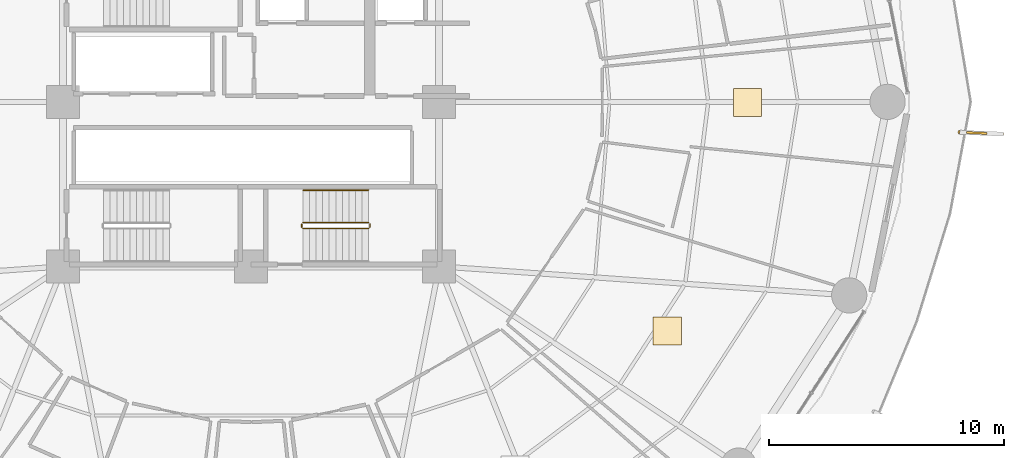
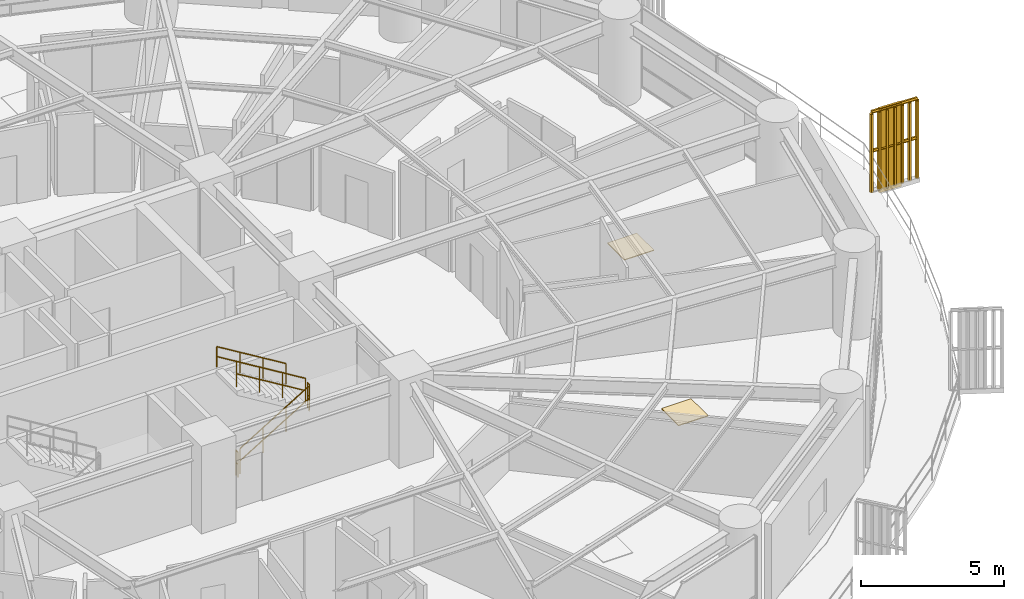
# One storey, part 31 of 33: 6 railings, 2 coverings, 1 shading device.
"""IFC4 building model written with IfcOpenShell, lengths in metres."""

from ifc_helpers import new_model, si_unit, direction, frame, origin, origin_2d, place, context, subcontext, project, spatial, polyline, rectangle, outline, extrude, source, transform, mapped, material, layer, layer_set, type_object, element, save


model = new_model("IFC4")

# Units and contexts
model_context = context("Model", 3, precision=1e-05, world=origin(), true_north=direction((0.0, 1.0)))
body_context = subcontext(model_context, "Body", "Model", "MODEL_VIEW")
ifc_project = project(units=[si_unit("LENGTHUNIT", "METRE"), si_unit("AREAUNIT", "SQUARE_METRE"), si_unit("VOLUMEUNIT", "CUBIC_METRE"), si_unit("PLANEANGLEUNIT", "RADIAN"), si_unit("MASSUNIT", "GRAM", prefix="KILO")], contexts=[model_context])

# Site, building, storey
site_placement = place(None, origin())
site = spatial("IfcSite", under=ifc_project, at=site_placement, CompositionType="ELEMENT")
building_placement = place(site_placement, origin())
building = spatial("IfcBuilding", under=site, at=building_placement, Name="Kelanora Arch Commons", CompositionType="ELEMENT")
storey_placement = place(building_placement, frame((0.0, 0.0, 45.0)))
storey = spatial("IfcBuildingStorey", under=building, at=storey_placement, Name="L11", CompositionType="ELEMENT", Elevation=45.0)

# Railings
ifc_material_1 = material(Name="Anodised bronze vertical shading fin rib assembly")
railing_type_1 = type_object("IfcRailingType", Name="RAIL-FIN-BRZ", PredefinedType="BALUSTRADE", material=ifc_material_1)
railing_1_placement = place(storey_placement, frame((104.1494140625, 56.705810546875, -0.02001953125)))
element("IfcRailing", 1, at=railing_1_placement, inside=storey, type_object=railing_type_1, Name="Sweeping Bronze Vertical Fin Blade L11-14", PredefinedType="BALUSTRADE", context=body_context, shape_type="SweptSolid", body=[
    extrude(outline(polyline([(0.06982421875, 0.0), (0.034912109375, 0.060546875), (-0.034912109375, 0.060546875), (-0.06982421875, 0.0), (-0.034912109375, -0.060546875), (0.034912109375, -0.060546875), (0.06982421875, 0.0)])), frame((0.0, 0.0, 3.419921875), z_axis=(0.999080248646, -0.042879561173, 0.0), x_axis=(0.042879561173, 0.999080248646, 0.0)), (0.0, 0.0, 1.0), 1.804931640625),
    extrude(outline(polyline([(0.06982421875, 0.0), (0.034912109375, 0.060546875), (-0.034912109375, 0.060546875), (-0.06982421875, 0.0), (-0.034912109375, -0.060546875), (0.034912109375, -0.060546875), (0.06982421875, 0.0)])), frame((0.0, 0.0, 1.7451171875), z_axis=(0.999080248646, -0.042879561173, 0.0), x_axis=(0.042879561173, 0.999080248646, 0.0)), (0.0, 0.0, 1.0), 1.804931640625),
    extrude(outline(polyline([(0.080078125, 0.0), (0.0400390625, 0.0693359375), (-0.0400390625, 0.0693359375), (-0.080078125, 0.0), (-0.0400390625, -0.0693359375), (0.0400390625, -0.0693359375), (0.080078125, 0.0)])), origin(), (0.0, 0.0, 1.0), 3.35009765625),
    extrude(outline(polyline([(0.080078125, 0.0), (0.0400390625, 0.0693359375), (-0.0400390625, 0.0693359375), (-0.080078125, 0.0), (-0.0400390625, -0.0693359375), (0.0400390625, -0.0693359375), (0.080078125, 0.0)])), frame((0.300537109375, -0.012939453125, 0.0)), (0.0, 0.0, 1.0), 3.35009765625),
    extrude(outline(polyline([(0.080078125, 0.0), (0.0400390625, 0.0693359375), (-0.0400390625, 0.0693359375), (-0.080078125, 0.0), (-0.0400390625, -0.0693359375), (0.0400390625, -0.0693359375), (0.080078125, 0.0)])), frame((0.60107421875, -0.02587890625, 0.0)), (0.0, 0.0, 1.0), 3.35009765625),
    extrude(outline(polyline([(0.080078125, 0.0), (0.0400390625, 0.0693359375), (-0.0400390625, 0.0693359375), (-0.080078125, 0.0), (-0.0400390625, -0.0693359375), (0.0400390625, -0.0693359375), (0.080078125, 0.0)])), frame((0.901611328125, -0.03857421875, 0.0)), (0.0, 0.0, 1.0), 3.35009765625),
    extrude(outline(polyline([(0.080078125, 0.0), (0.0400390625, 0.0693359375), (-0.0400390625, 0.0693359375), (-0.080078125, 0.0), (-0.0400390625, -0.0693359375), (0.0400390625, -0.0693359375), (0.080078125, 0.0)])), frame((1.2021484375, -0.051513671875, 0.0)), (0.0, 0.0, 1.0), 3.35009765625),
    extrude(outline(polyline([(0.080078125, 0.0), (0.0400390625, 0.0693359375), (-0.0400390625, 0.0693359375), (-0.080078125, 0.0), (-0.0400390625, -0.0693359375), (0.0400390625, -0.0693359375), (0.080078125, 0.0)])), frame((1.502685546875, -0.064453125, 0.0)), (0.0, 0.0, 1.0), 3.35009765625),
    extrude(outline(polyline([(0.080078125, 0.0), (0.0400390625, 0.0693359375), (-0.0400390625, 0.0693359375), (-0.080078125, 0.0), (-0.0400390625, -0.0693359375), (0.0400390625, -0.0693359375), (0.080078125, 0.0)])), frame((1.80322265625, -0.077392578125, 0.0)), (0.0, 0.0, 1.0), 3.35009765625),
])
ifc_material_2 = material(Name="Painted steel stair well guard", Category="steel")
railing_type_2 = type_object("IfcRailingType", Name="RAIL-STAIR-GRD", PredefinedType="GUARDRAIL", material=ifc_material_2)
railing_2_placement = place(storey_placement, frame((76.199951171875, 52.610107421875, 0.17041015625)))
element("IfcRailing", 2, at=railing_2_placement, inside=storey, type_object=railing_type_2, Name="L11 ST-T2 stair guard 1", PredefinedType="GUARDRAIL", context=body_context, shape_type="SweptSolid", body=[
    extrude(outline(polyline([(0.02392578125, 0.0), (0.011962890625, 0.020751953125), (-0.011962890625, 0.020751953125), (-0.02392578125, 0.0), (-0.011962890625, -0.020751953125), (0.011962890625, -0.020751953125), (0.02392578125, 0.0)])), frame((0.0, 0.0, 1.076171875), z_axis=(0.854169791009, 0.0, 0.51999420009), x_axis=(0.0, 1.0, 0.0)), (0.0, 0.0, 1.0), 3.278076171875),
    extrude(outline(polyline([(0.02392578125, 0.0), (0.011962890625, 0.020751953125), (-0.011962890625, 0.020751953125), (-0.02392578125, 0.0), (-0.011962890625, -0.020751953125), (0.011962890625, -0.020751953125), (0.02392578125, 0.0)])), frame((0.0, 0.0, 0.550048828125), z_axis=(0.854169791009, 0.0, 0.51999420009), x_axis=(0.0, 1.0, 0.0)), (0.0, 0.0, 1.0), 3.278076171875),
    extrude(outline(polyline([(0.02099609375, 0.0), (0.010498046875, 0.01806640625), (-0.010498046875, 0.01806640625), (-0.02099609375, 0.0), (-0.010498046875, -0.01806640625), (0.010498046875, -0.01806640625), (0.02099609375, 0.0)])), origin(), (0.0, 0.0, 1.0), 1.052001953125),
    extrude(outline(polyline([(0.02099609375, 0.0), (0.010498046875, 0.01806640625), (-0.010498046875, 0.01806640625), (-0.02099609375, 0.0), (-0.010498046875, -0.01806640625), (0.010498046875, -0.01806640625), (0.02099609375, 0.0)])), frame((0.933349609375, 0.0, 0.568115234375)), (0.0, 0.0, 1.0), 1.052001953125),
    extrude(outline(polyline([(0.02099609375, 0.0), (0.010498046875, 0.01806640625), (-0.010498046875, 0.01806640625), (-0.02099609375, 0.0), (-0.010498046875, -0.01806640625), (0.010498046875, -0.01806640625), (0.02099609375, 0.0)])), frame((1.86669921875, 0.0, 1.136474609375)), (0.0, 0.0, 1.0), 1.052001953125),
    extrude(outline(polyline([(0.02099609375, 0.0), (0.010498046875, 0.01806640625), (-0.010498046875, 0.01806640625), (-0.02099609375, 0.0), (-0.010498046875, -0.01806640625), (0.010498046875, -0.01806640625), (0.02099609375, 0.0)])), frame((2.800048828125, 0.0, 1.70458984375)), (0.0, 0.0, 1.0), 1.052001953125),
])
railing_3_placement = place(storey_placement, frame((79.050048828125, 52.659912109375, 1.875)))
element("IfcRailing", 3, at=railing_3_placement, inside=storey, type_object=railing_type_2, Name="L11 ST-T2 stair guard 2", PredefinedType="GUARDRAIL", context=body_context, shape_type="SweptSolid", body=[
    extrude(outline(polyline([(0.02392578125, 0.0), (0.011962890625, 0.020751953125), (-0.011962890625, 0.020751953125), (-0.02392578125, 0.0), (-0.011962890625, -0.020751953125), (0.011962890625, -0.020751953125), (0.02392578125, 0.0)])), frame((0.0, 0.0, 1.076171875), z_axis=(0.0, 1.0, 0.0), x_axis=(-1.0, 0.0, 0.0)), (0.0, 0.0, 1.0), 0.150146484375),
    extrude(outline(polyline([(0.02392578125, 0.0), (0.011962890625, 0.020751953125), (-0.011962890625, 0.020751953125), (-0.02392578125, 0.0), (-0.011962890625, -0.020751953125), (0.011962890625, -0.020751953125), (0.02392578125, 0.0)])), frame((0.0, 0.0, 0.550048828125), z_axis=(0.0, 1.0, 0.0), x_axis=(-1.0, 0.0, 0.0)), (0.0, 0.0, 1.0), 0.150146484375),
    extrude(outline(polyline([(0.02099609375, 0.0), (0.010498046875, 0.01806640625), (-0.010498046875, 0.01806640625), (-0.02099609375, 0.0), (-0.010498046875, -0.01806640625), (0.010498046875, -0.01806640625), (0.02099609375, 0.0)])), origin(), (0.0, 0.0, 1.0), 1.052001953125),
    extrude(outline(polyline([(0.02099609375, 0.0), (0.010498046875, 0.01806640625), (-0.010498046875, 0.01806640625), (-0.02099609375, 0.0), (-0.010498046875, -0.01806640625), (0.010498046875, -0.01806640625), (0.02099609375, 0.0)])), frame((0.0, 0.150146484375, 0.0)), (0.0, 0.0, 1.0), 1.052001953125),
])
railing_4_placement = place(storey_placement, frame((79.0, 52.860107421875, 2.04541015625)))
element("IfcRailing", 4, at=railing_4_placement, inside=storey, type_object=railing_type_2, Name="L11 ST-T2 stair guard 3", PredefinedType="GUARDRAIL", context=body_context, shape_type="SweptSolid", body=[
    extrude(outline(polyline([(0.02392578125, 0.0), (0.011962890625, 0.020751953125), (-0.011962890625, 0.020751953125), (-0.02392578125, 0.0), (-0.011962890625, -0.020751953125), (0.011962890625, -0.020751953125), (0.02392578125, 0.0)])), frame((0.0, 0.0, 1.076171875), z_axis=(-0.854169791009, 0.0, 0.51999420009), x_axis=(0.0, -1.0, 0.0)), (0.0, 0.0, 1.0), 3.278076171875),
    extrude(outline(polyline([(0.02392578125, 0.0), (0.011962890625, 0.020751953125), (-0.011962890625, 0.020751953125), (-0.02392578125, 0.0), (-0.011962890625, -0.020751953125), (0.011962890625, -0.020751953125), (0.02392578125, 0.0)])), frame((0.0, 0.0, 0.550048828125), z_axis=(-0.854169791009, 0.0, 0.51999420009), x_axis=(0.0, -1.0, 0.0)), (0.0, 0.0, 1.0), 3.278076171875),
    extrude(outline(polyline([(0.02099609375, 0.0), (0.010498046875, 0.01806640625), (-0.010498046875, 0.01806640625), (-0.02099609375, 0.0), (-0.010498046875, -0.01806640625), (0.010498046875, -0.01806640625), (0.02099609375, 0.0)])), origin(), (0.0, 0.0, 1.0), 1.052001953125),
    extrude(outline(polyline([(0.02099609375, 0.0), (0.010498046875, 0.01806640625), (-0.010498046875, 0.01806640625), (-0.02099609375, 0.0), (-0.010498046875, -0.01806640625), (0.010498046875, -0.01806640625), (0.02099609375, 0.0)])), frame((-0.933349609375, 0.0, 0.568115234375)), (0.0, 0.0, 1.0), 1.052001953125),
    extrude(outline(polyline([(0.02099609375, 0.0), (0.010498046875, 0.01806640625), (-0.010498046875, 0.01806640625), (-0.02099609375, 0.0), (-0.010498046875, -0.01806640625), (0.010498046875, -0.01806640625), (0.02099609375, 0.0)])), frame((-1.86669921875, 0.0, 1.136474609375)), (0.0, 0.0, 1.0), 1.052001953125),
    extrude(outline(polyline([(0.02099609375, 0.0), (0.010498046875, 0.01806640625), (-0.010498046875, 0.01806640625), (-0.02099609375, 0.0), (-0.010498046875, -0.01806640625), (0.010498046875, -0.01806640625), (0.02099609375, 0.0)])), frame((-2.800048828125, 0.0, 1.70458984375)), (0.0, 0.0, 1.0), 1.052001953125),
])
railing_5_placement = place(storey_placement, frame((76.14990234375, 52.659912109375, 0.0)))
element("IfcRailing", 5, at=railing_5_placement, inside=storey, type_object=railing_type_2, Name="L11 ST-T2 stair guard 4", PredefinedType="GUARDRAIL", context=body_context, shape_type="SweptSolid", body=[
    extrude(outline(polyline([(0.02392578125, 0.0), (0.011962890625, 0.020751953125), (-0.011962890625, 0.020751953125), (-0.02392578125, 0.0), (-0.011962890625, -0.020751953125), (0.011962890625, -0.020751953125), (0.02392578125, 0.0)])), frame((0.0, 0.0, 1.076171875), z_axis=(0.0, 1.0, 0.0), x_axis=(-1.0, 0.0, 0.0)), (0.0, 0.0, 1.0), 0.150146484375),
    extrude(outline(polyline([(0.02392578125, 0.0), (0.011962890625, 0.020751953125), (-0.011962890625, 0.020751953125), (-0.02392578125, 0.0), (-0.011962890625, -0.020751953125), (0.011962890625, -0.020751953125), (0.02392578125, 0.0)])), frame((0.0, 0.0, 0.550048828125), z_axis=(0.0, 1.0, 0.0), x_axis=(-1.0, 0.0, 0.0)), (0.0, 0.0, 1.0), 0.150146484375),
    extrude(outline(polyline([(0.02099609375, 0.0), (0.010498046875, 0.01806640625), (-0.010498046875, 0.01806640625), (-0.02099609375, 0.0), (-0.010498046875, -0.01806640625), (0.010498046875, -0.01806640625), (0.02099609375, 0.0)])), origin(), (0.0, 0.0, 1.0), 1.052001953125),
    extrude(outline(polyline([(0.02099609375, 0.0), (0.010498046875, 0.01806640625), (-0.010498046875, 0.01806640625), (-0.02099609375, 0.0), (-0.010498046875, -0.01806640625), (0.010498046875, -0.01806640625), (0.02099609375, 0.0)])), frame((0.0, 0.150146484375, 0.0)), (0.0, 0.0, 1.0), 1.052001953125),
])
ifc_material_3 = material(Name="Brushed stainless steel stair handrail", Category="steel")
railing_type_3 = type_object("IfcRailingType", Name="RAIL-STAIR-HND", PredefinedType="HANDRAIL", material=ifc_material_3)
railing_6_placement = place(storey_placement, frame((79.0, 54.239990234375, 2.04541015625)))
element("IfcRailing", 6, at=railing_6_placement, inside=storey, type_object=railing_type_3, Name="L11 ST-T2 stair handrail 2", PredefinedType="HANDRAIL", context=body_context, shape_type="SweptSolid", body=[
    extrude(outline(polyline([(0.02392578125, 0.0), (0.011962890625, 0.020751953125), (-0.011962890625, 0.020751953125), (-0.02392578125, 0.0), (-0.011962890625, -0.020751953125), (0.011962890625, -0.020751953125), (0.02392578125, 0.0)])), frame((0.0, 0.0, 0.8759765625), z_axis=(-0.854169791009, 0.0, 0.51999420009), x_axis=(0.0, -1.0, 0.0)), (0.0, 0.0, 1.0), 3.278076171875),
    extrude(outline(polyline([(0.02392578125, 0.0), (0.011962890625, 0.020751953125), (-0.011962890625, 0.020751953125), (-0.02392578125, 0.0), (-0.011962890625, -0.020751953125), (0.011962890625, -0.020751953125), (0.02392578125, 0.0)])), frame((0.0, 0.0, 0.449951171875), z_axis=(-0.854169791009, 0.0, 0.51999420009), x_axis=(0.0, -1.0, 0.0)), (0.0, 0.0, 1.0), 3.278076171875),
    extrude(outline(polyline([(0.02099609375, 0.0), (0.010498046875, 0.01806640625), (-0.010498046875, 0.01806640625), (-0.02099609375, 0.0), (-0.010498046875, -0.01806640625), (0.010498046875, -0.01806640625), (0.02099609375, 0.0)])), origin(), (0.0, 0.0, 1.0), 0.851806640625),
    extrude(outline(polyline([(0.02099609375, 0.0), (0.010498046875, 0.01806640625), (-0.010498046875, 0.01806640625), (-0.02099609375, 0.0), (-0.010498046875, -0.01806640625), (0.010498046875, -0.01806640625), (0.02099609375, 0.0)])), frame((-0.933349609375, 0.0, 0.568115234375)), (0.0, 0.0, 1.0), 0.851806640625),
    extrude(outline(polyline([(0.02099609375, 0.0), (0.010498046875, 0.01806640625), (-0.010498046875, 0.01806640625), (-0.02099609375, 0.0), (-0.010498046875, -0.01806640625), (0.010498046875, -0.01806640625), (0.02099609375, 0.0)])), frame((-1.86669921875, 0.0, 1.136474609375)), (0.0, 0.0, 1.0), 0.851806640625),
    extrude(outline(polyline([(0.02099609375, 0.0), (0.010498046875, 0.01806640625), (-0.010498046875, 0.01806640625), (-0.02099609375, 0.0), (-0.010498046875, -0.01806640625), (0.010498046875, -0.01806640625), (0.02099609375, 0.0)])), frame((-2.800048828125, 0.0, 1.70458984375)), (0.0, 0.0, 1.0), 0.851806640625),
])

# Shading device
ifc_material_4 = material(Name="Terracotta ceramic-clad extruded aluminium fin", Category="masonry")
shading_device_type = type_object("IfcShadingDeviceType", Name="SHD-FIN-FLARE", PredefinedType="USERDEFINED", material=ifc_material_4)
shared_shape_1 = source(origin(), body_context, "Body", "SweptSolid", [
    extrude(rectangle(XDim=0.8798828125, YDim=0.090087890625, at=origin_2d()), origin(), (0.0, 0.0, 1.0), 3.610107421875),
])
shading_device_placement = place(storey_placement, frame((104.86865234375, 56.6748046875, -0.14013671875), z_axis=(0.0, 0.0, 1.0), x_axis=(0.999078430194, -0.042921909558, 0.0)))
element("IfcShadingDevice", 7, at=shading_device_placement, inside=storey, type_object=shading_device_type, Name="Sweeping Terracotta Fin L11-14", ObjectType="FIN", PredefinedType="USERDEFINED", context=body_context, shape_type="MappedRepresentation", body=[
    mapped(shared_shape_1, transform((0.0, 0.0, 0.0), scale=1.0)),
])

# Coverings
ifc_material_5 = material(Name="Polished local granite terrazzo flooring", Category="masonry")
ifc_layer = layer(ifc_material_5, 0.030029296875)
ifc_layer_set = layer_set([ifc_layer], Name="Polished local granite terrazzo flooring")
covering_type = type_object("IfcCoveringType", Name="COV-FLR-TER", PredefinedType="FLOORING", material=ifc_layer_set)
shared_shape_2 = source(origin(), body_context, "Body", "SweptSolid", [
    extrude(rectangle(XDim=1.199951171875, YDim=1.199951171875, at=origin_2d()), origin(), (0.0, 0.0, 1.0), 0.030029296875),
])
for number, where, z_axis, x_axis, name in (
    (8, (91.702880859375, 48.2470703125, 0.0), (0.0, 0.0, 1.0), (1.0, 0.0, 0.0), "Quiet Seminar Study Room L11-13 Terrazzo Finish"),
    (9, (95.122802734375, 57.97021484375, 0.0), (0.0, 0.0, 1.0), (1.0, 0.0, 0.0), "Quiet Reading Carrel L11-14 Terrazzo Finish"),
):
    element("IfcCovering", number, at=place(storey_placement, frame(where, z_axis=z_axis, x_axis=x_axis)), inside=storey, type_object=covering_type, Name=name, PredefinedType="FLOORING", context=body_context, shape_type="MappedRepresentation", body=[
        mapped(shared_shape_2, transform((0.0, 0.0, 0.0), scale=1.0)),
    ])

save(model, "model.ifc")
